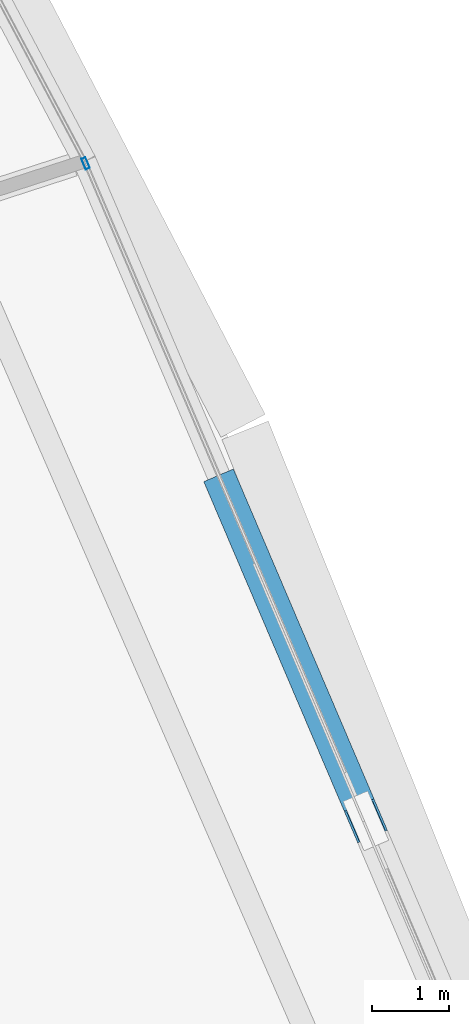
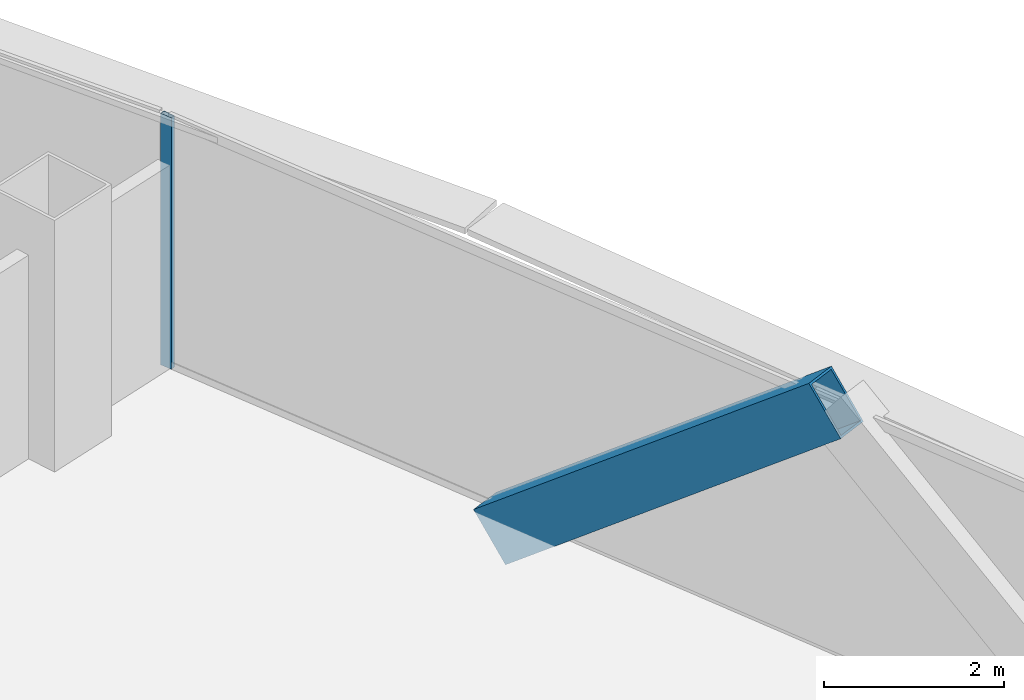
# One storey, part 26 of 42: 2 members, 1 element without a shape of its own.
"""IFC4 building model written with IfcOpenShell, lengths in metres."""

from ifc_helpers import new_model, si_unit, direction, frame, origin, origin_2d, place, context, subcontext, project, spatial, hollow_rectangle, extrude, source, transform, mapped, material, layer, layer_set, material_profile, profile_set, type_object, element, aggregate, save


model = new_model("IFC4")

# Units and contexts
model_context = context("Model", 3, precision=1e-05, world=origin(), true_north=direction((0.0, 1.0)))
body_context = subcontext(model_context, "Body", "Model", "MODEL_VIEW")
ifc_project = project(units=[si_unit("LENGTHUNIT", "METRE"), si_unit("AREAUNIT", "SQUARE_METRE"), si_unit("VOLUMEUNIT", "CUBIC_METRE"), si_unit("PLANEANGLEUNIT", "RADIAN"), si_unit("MASSUNIT", "GRAM", prefix="KILO"), si_unit("THERMODYNAMICTEMPERATUREUNIT", "KELVIN"), si_unit("POWERUNIT", "WATT")], contexts=[model_context])

# Site, building, storey
site_placement = place(None, origin())
site = spatial("IfcSite", under=ifc_project, at=site_placement, CompositionType="ELEMENT")
building_placement = place(site_placement, origin())
building = spatial("IfcBuilding", under=site, at=building_placement, Name="Yunzhuo Pagoda Commons", CompositionType="ELEMENT")
storey_placement = place(building_placement, frame((0.0, 0.0, 133.510009765625)))
storey = spatial("IfcBuildingStorey", under=building, at=storey_placement, Name="L33", CompositionType="ELEMENT", Elevation=133.510009765625)

# Member
ifc_material_1 = material(Name="Structural steel Q420B", Category="steel")
ifc_material_profile_1 = material_profile(ifc_material_1, hollow_rectangle(XDim=0.419921875, YDim=0.719970703125, WallThickness=0.028076171875, at=origin_2d()), Name="Structural steel Q420B")
ifc_profile_set_1 = profile_set([ifc_material_profile_1], Name="Structural steel Q420B")
member_type_1 = type_object("IfcMemberType", Name="M-DL1 Brace BOX 720x420x28", PredefinedType="BRACE", material=ifc_profile_set_1)
shared_shape_1 = source(origin(), body_context, "Body", "SweptSolid", [
    extrude(hollow_rectangle(XDim=0.419921875, YDim=0.719970703125, WallThickness=0.028076171875, at=origin_2d()), origin(), (0.0, 0.0, 1.0), 5.947021484375),
])
member_1_placement = place(storey_placement, frame((81.552490234375, 39.70849609375, -0.260009765625), z_axis=(0.308018851152, -0.722651717557, 0.61878823716), x_axis=(0.919921719553, 0.39210206566, 0.0)))
element("IfcMember", 1, at=member_1_placement, inside=storey, type_object=member_type_1, Name="L33 facade diamond brace F2.1R", PredefinedType="BRACE", context=body_context, shape_type="MappedRepresentation", body=[
    mapped(shared_shape_1, transform((0.0, 0.0, 0.0), scale=1.0)),
])

# Curtain wall, member
ifc_material_2 = material(Name="Anodized aluminium 6063-T6", Category="aluminium")
ifc_layer = layer(ifc_material_2, 0.14990234375)
ifc_layer_set = layer_set([ifc_layer], Name="Anodized aluminium 6063-T6")
curtain_wall_type = type_object("IfcCurtainWallType", Name="CW-MID Mid-Zone Ribbon Curtain Wall", PredefinedType="NOTDEFINED", material=ifc_layer_set)
curtain_wall_placement = place(storey_placement, origin())
curtain_wall = element("IfcCurtainWall", 2, at=curtain_wall_placement, inside=storey, type_object=curtain_wall_type, Name="L33 curtain wall CW-L33-F2B2", PredefinedType="NOTDEFINED")
ifc_material_profile_2 = material_profile(ifc_material_2, hollow_rectangle(XDim=0.06005859375, YDim=0.14990234375, WallThickness=0.00390625, at=origin_2d()), Name="Anodized aluminium 6063-T6")
ifc_profile_set_2 = profile_set([ifc_material_profile_2], Name="Anodized aluminium 6063-T6")
member_type_2 = type_object("IfcMemberType", Name="CW-MID-M Mullion RHS 150x60x4", PredefinedType="MULLION", material=ifc_profile_set_2)
shared_shape_2 = source(origin(), body_context, "Body", "SweptSolid", [
    extrude(hollow_rectangle(XDim=0.06005859375, YDim=0.14990234375, WallThickness=0.00390625, at=origin_2d()), origin(), (0.0, 0.0, 1.0), 3.419921875),
])
member_2_placement = place(storey_placement, frame((79.732177734375, 43.97900390625, 0.0), z_axis=(0.0, 0.0, 1.0), x_axis=(-0.919928137274, -0.392087008522, 0.0)))
member_2 = element("IfcMember", 3, at=member_2_placement, type_object=member_type_2, Name="CW mullion 2", PredefinedType="MULLION", context=body_context, shape_type="MappedRepresentation", body=[
    mapped(shared_shape_2, transform((0.0, 0.0, 0.0), scale=1.0)),
])
aggregate(curtain_wall, [member_2])

save(model, "model.ifc")
